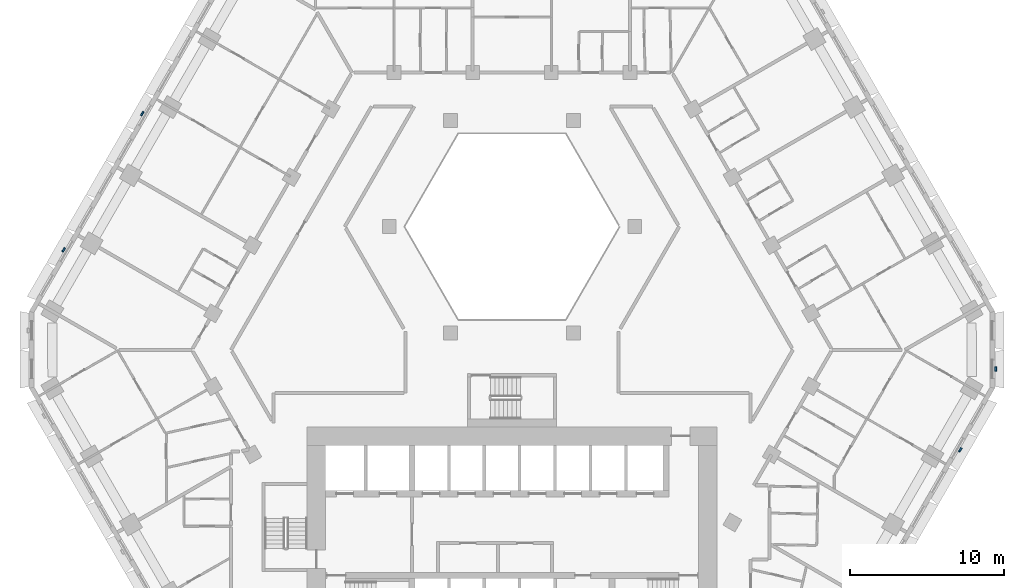
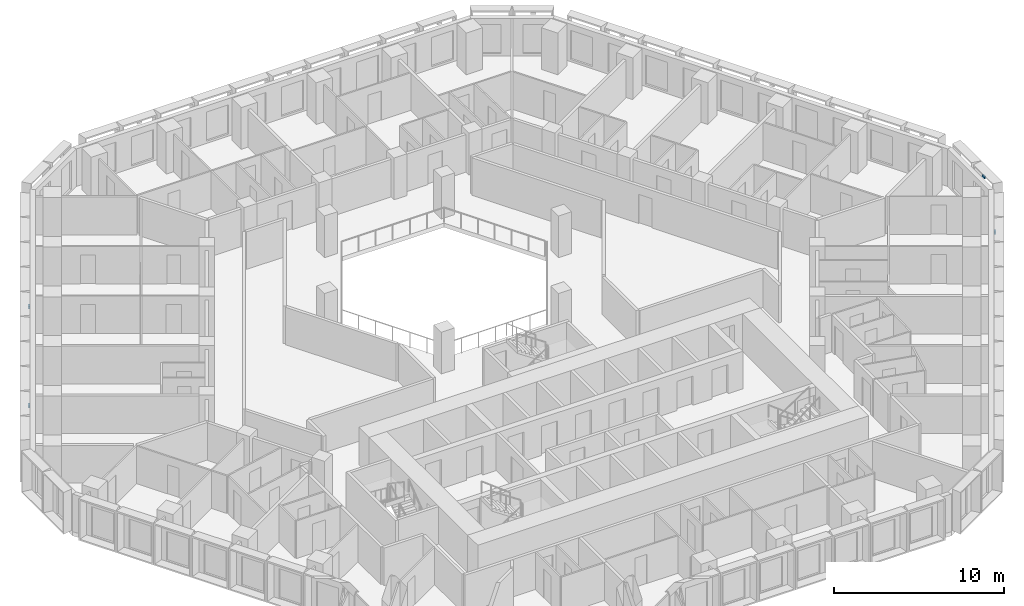
# One storey, part 14 of 21: 4 discrete accessories.
"""IFC4 building model written with IfcOpenShell, lengths in metres."""

from ifc_helpers import new_model, si_unit, direction, frame, origin, place, context, subcontext, project, spatial, polyline, outline, extrude, source, transform, mapped, material, type_object, type_shapes, element, save


model = new_model("IFC4")

# Units and contexts
model_context = context("Model", 3, precision=1e-05, world=origin(), true_north=direction((0.0, 1.0)))
body_context = subcontext(model_context, "Body", "Model", "MODEL_VIEW")
ifc_project = project(units=[si_unit("LENGTHUNIT", "METRE"), si_unit("AREAUNIT", "SQUARE_METRE"), si_unit("VOLUMEUNIT", "CUBIC_METRE"), si_unit("PLANEANGLEUNIT", "RADIAN"), si_unit("MASSUNIT", "GRAM", prefix="KILO")], contexts=[model_context])

# Site, building, storey
site_placement = place(None, origin())
site = spatial("IfcSite", under=ifc_project, at=site_placement, CompositionType="ELEMENT")
building_placement = place(site_placement, origin())
building = spatial("IfcBuilding", under=site, at=building_placement, Name="Beryl Residences", CompositionType="ELEMENT")
storey_placement = place(building_placement, frame((0.0, 0.0, 41.39990234375)))
storey = spatial("IfcBuildingStorey", under=building, at=storey_placement, Name="L12", CompositionType="ELEMENT", Elevation=41.39990234375)

# Discrete accessories
ifc_material = material(Name="Steel S355", Category="steel")
discrete_accessory_type = type_object("IfcDiscreteAccessoryType", Name="BR1 frame bracket 300 x 120 x 150 mm", PredefinedType="BRACKET", material=ifc_material)
shared_shape = source(origin(), body_context, "Body", "SweptSolid", [
    extrude(outline(polyline([(-0.14990234375, 0.0), (0.14990234375, 0.0), (0.14990234375, 0.1201171875), (-0.14990234375, 0.1201171875), (-0.14990234375, 0.0)])), origin(), (0.0, 0.0, 1.0), 0.14990234375),
])
type_shapes(discrete_accessory_type, [shared_shape])
for number, where, z_axis, x_axis, name in (
    (1, (-23.9580078125, 15.303955078125, 2.75), (0.0, 0.0, 1.0), (0.5, 0.866025403784, 0.0), "BR1 bracket L12 NW 5"),
    (2, (-29.06103515625, 6.464111328125, 2.75), (0.0, 0.0, 1.0), (0.5, 0.866025403784, 0.0), "BR1 bracket L12 NW 9"),
    (3, (29.06103515625, -6.464111328125, 2.75), (0.0, 0.0, 1.0), (-0.5, -0.866025403784, 0.0), "BR1 bracket L12 SE 9"),
    (4, (31.35009765625, -1.25, 2.75), (0.0, 0.0, 1.0), (0.0, -1.0, 0.0), "BR1 bracket L12 SE-NE 1"),
):
    element("IfcDiscreteAccessory", number, at=place(storey_placement, frame(where, z_axis=z_axis, x_axis=x_axis)), inside=storey, type_object=discrete_accessory_type, Name=name, PredefinedType="BRACKET", context=body_context, shape_type="MappedRepresentation", body=[
        mapped(shared_shape, transform((0.0, 0.0, 0.0))),
    ])

save(model, "model.ifc")
